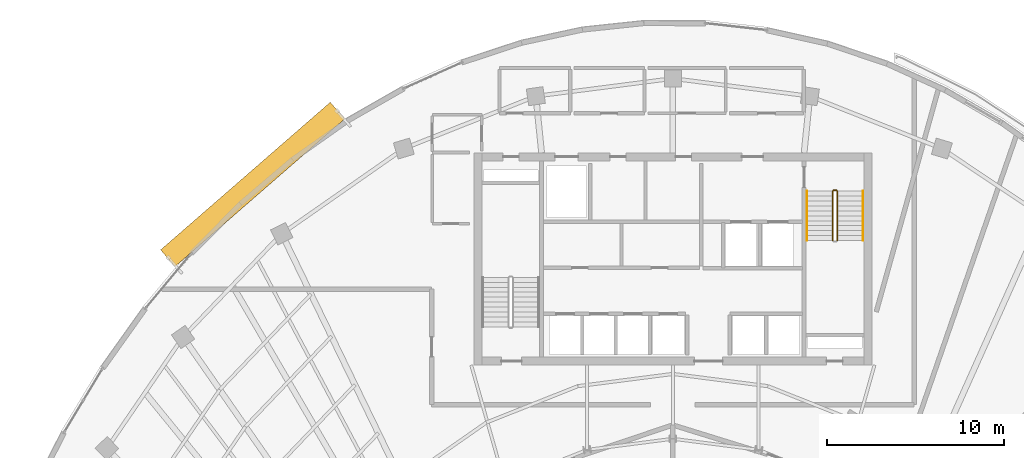
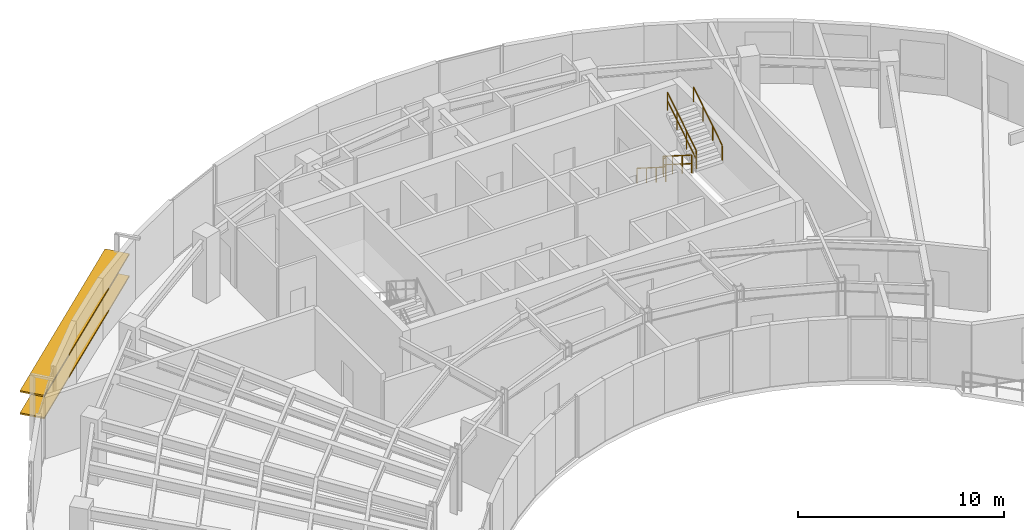
# One storey, part 14 of 15: 5 railings, 2 shading devices.
"""IFC4 building model written with IfcOpenShell, lengths in metres."""

import ifcopenshell
import ifcopenshell.guid

model = None  # the IFC model being written
_history = None  # IfcOwnerHistory: only IFC2X3 demands one
_inside = {}  # id of a spatial element -> (the spatial element, [elements in it])
_under = {}  # id of a project, library or spatial element -> (it, [spatial elements below it])
_declared = {}  # id of a project -> (the project, [libraries it declares])
_typed = {}  # id of a type object -> (the type object, [elements of that type])
_made_of = {}  # id of a material, layer set ... -> (it, [elements and type objects made of it])


def new_model(schema):
    """Start an empty IFC model of exactly this schema.

    Asked for "IFC4X3", IfcOpenShell would pick the latest addendum, in which some entities
    have other attributes; the version numbers below select the first issue.
    IFC2X3 requires an IfcOwnerHistory on every rooted entity: one is made here for all.
    """
    global model, _history
    if schema == "IFC4X3":
        model = ifcopenshell.file(schema_version=(4, 3, 0, 0))
    else:
        model = ifcopenshell.file(schema=schema)
    _inside.clear()
    _under.clear()
    _declared.clear()
    _typed.clear()
    _made_of.clear()
    _history = None
    if model.schema == "IFC2X3":
        org = make("IfcOrganization", Name="unknown")
        user = make(
            "IfcPersonAndOrganization",
            ThePerson=make("IfcPerson", FamilyName="unknown"),
            TheOrganization=org,
        )
        app = make(
            "IfcApplication",
            ApplicationDeveloper=org,
            Version="unknown",
            ApplicationFullName="unknown",
            ApplicationIdentifier="unknown",
        )
        _history = make(
            "IfcOwnerHistory",
            OwningUser=user,
            OwningApplication=app,
            ChangeAction="ADDED",
            CreationDate=0,
        )
    return model


def make(cls, **values):
    """One entity of the class cls with the attributes given. An attribute that is None is left unset."""
    return model.create_entity(
        cls, **{name: value for name, value in values.items() if value is not None}
    )


def rooted(cls, **values):
    """An entity with a GlobalId (a new one), such as an element, a storey or a relation."""
    return make(cls, GlobalId=ifcopenshell.guid.new(), OwnerHistory=_history, **values)


def si_unit(unit_type, name, prefix=None):
    """IfcSIUnit, for example si_unit("LENGTHUNIT", "METRE", prefix="MILLI")."""
    return make("IfcSIUnit", UnitType=unit_type, Prefix=prefix, Name=name)


def assignment(units):
    """IfcUnitAssignment: the units of a project."""
    return None if units is None else make("IfcUnitAssignment", Units=units)


def point(xyz):
    """IfcCartesianPoint."""
    return None if xyz is None else make("IfcCartesianPoint", Coordinates=xyz)


def direction(xyz):
    """IfcDirection."""
    return None if xyz is None else make("IfcDirection", DirectionRatios=xyz)


def frame(location, z_axis=None, x_axis=None):
    """IfcAxis2Placement3D, a coordinate frame: its origin and axes. An axis left out is left unset."""
    return make(
        "IfcAxis2Placement3D",
        Location=point(location),
        Axis=direction(z_axis),
        RefDirection=direction(x_axis),
    )


def frame_2d(location, x_axis=None):
    """IfcAxis2Placement2D, a coordinate frame in the plane: its origin and x axis."""
    return make(
        "IfcAxis2Placement2D", Location=point(location), RefDirection=direction(x_axis)
    )


def origin():
    """The frame at (0, 0, 0) with its axes left unset."""
    return frame((0.0, 0.0, 0.0))


def origin_2d():
    """The frame at (0, 0) in the plane with its x axis left unset."""
    return frame_2d((0.0, 0.0))


def place(relative_to, where):
    """IfcLocalPlacement: puts the frame where relative to a parent placement (None: the world)."""
    return make(
        "IfcLocalPlacement", PlacementRelTo=relative_to, RelativePlacement=where
    )


def context(
    kind, dimensions, precision=None, world=None, true_north=None, identifier=None
):
    """IfcGeometricRepresentationContext, for example the 3D "Model" context."""
    return make(
        "IfcGeometricRepresentationContext",
        ContextIdentifier=identifier,
        ContextType=kind,
        CoordinateSpaceDimension=dimensions,
        Precision=precision,
        WorldCoordinateSystem=world,
        TrueNorth=true_north,
    )


def subcontext(parent, identifier, kind, view, scale=None):
    """IfcGeometricRepresentationSubContext, for example "Body" below "Model"."""
    return make(
        "IfcGeometricRepresentationSubContext",
        ContextIdentifier=identifier,
        ContextType=kind,
        ParentContext=parent,
        TargetScale=scale,
        TargetView=view,
    )


def project(units=None, contexts=None):
    """IfcProject with its units and contexts."""
    return rooted(
        "IfcProject",
        Name="project",
        RepresentationContexts=contexts,
        UnitsInContext=assignment(units),
    )


def spatial(cls, under=None, at=None, **own):
    """A site, building, storey or space (cls), placed at a placement, below another one or the project."""
    s = rooted(cls, ObjectPlacement=at, **own)
    if under is not None:
        _under.setdefault(under.id(), (under, []))[1].append(s)
    return s


def profile(cls, at=None, kind="AREA", **sizes):
    """A parametric profile (cls). Its sizes go by their IFC names, for example OverallWidth=200.0."""
    return make(cls, ProfileType=kind, Position=at, **sizes)


def rectangle(**sizes):
    """IfcRectangleProfileDef."""
    return profile("IfcRectangleProfileDef", **sizes)


def extrude(swept, where, along, depth):
    """IfcExtrudedAreaSolid: the profile swept, set in the frame where, extruded along a direction by depth."""
    return make(
        "IfcExtrudedAreaSolid",
        SweptArea=swept,
        Position=where,
        ExtrudedDirection=direction(along),
        Depth=depth,
    )


def shape(context_of_items, identifier, shape_type, items):
    """IfcShapeRepresentation: the items that make up one representation, for example the "Body"."""
    return make(
        "IfcShapeRepresentation",
        ContextOfItems=context_of_items,
        RepresentationIdentifier=identifier,
        RepresentationType=shape_type,
        Items=items,
    )


def source(mapping_origin, context_of_items, identifier, shape_type, items):
    """IfcRepresentationMap: a shape defined once, which mapped items show again and again."""
    return make(
        "IfcRepresentationMap",
        MappingOrigin=mapping_origin,
        MappedRepresentation=shape(context_of_items, identifier, shape_type, items),
    )


def transform(
    local_origin,
    x_axis=None,
    y_axis=None,
    z_axis=None,
    scale=None,
    scale2=None,
    scale3=None,
    uniform=True,
):
    """IfcCartesianTransformationOperator3D, or its non-uniform kind. x_axis, y_axis, z_axis: its Axis1, 2, 3."""
    if uniform:
        return make(
            "IfcCartesianTransformationOperator3D",
            Axis1=direction(x_axis),
            Axis2=direction(y_axis),
            LocalOrigin=point(local_origin),
            Scale=scale,
            Axis3=direction(z_axis),
        )
    return make(
        "IfcCartesianTransformationOperator3DnonUniform",
        Axis1=direction(x_axis),
        Axis2=direction(y_axis),
        LocalOrigin=point(local_origin),
        Scale=scale,
        Axis3=direction(z_axis),
        Scale2=scale2,
        Scale3=scale3,
    )


def mapped(mapping_source, mapping_target):
    """IfcMappedItem: shows the shape of a source again, moved by a transform."""
    return make(
        "IfcMappedItem", MappingSource=mapping_source, MappingTarget=mapping_target
    )


def material(Name=None, Category=None):
    """IfcMaterial."""
    return make("IfcMaterial", Name=Name, Category=Category)


def material_profile(
    of_material, cross_section, Name=None, Category=None, Priority=None
):
    """IfcMaterialProfile: a cross section and its material."""
    return make(
        "IfcMaterialProfile",
        Name=Name,
        Material=of_material,
        Profile=cross_section,
        Priority=Priority,
        Category=Category,
    )


def profile_set(profiles, Name=None, composite=None):
    """IfcMaterialProfileSet."""
    return make(
        "IfcMaterialProfileSet",
        Name=Name,
        MaterialProfiles=profiles,
        CompositeProfile=composite,
    )


def made_of(thing, what):
    """Note that an element or type object is made of a material, layer set ...; save() writes the relation."""
    if what is not None:
        _made_of.setdefault(what.id(), (what, []))[1].append(thing)
    return thing


def type_object(cls, material=None, **own):
    """A type object (cls), such as IfcWallType, which elements share."""
    return made_of(rooted(cls, **own), material)


def element(
    cls,
    number,
    at=None,
    inside=None,
    cuts=None,
    type_object=None,
    material=None,
    context=None,
    identifier="Body",
    shape_type=None,
    held_by="IfcProductDefinitionShape",
    body=None,
    shapes=None,
    **own,
):
    """One element of the class cls, such as IfcWall. Its Tag is "e" and its number.

    at: its placement. inside: the storey or other place that contains it. cuts: it is an
    opening in that element (IfcRelVoidsElement). A single representation is given by context,
    identifier, shape_type and body (its items); several are given by shapes. held_by: the class
    of the entity that holds the representations. save() writes the other relations.
    """
    e = rooted(cls, Tag="e%d" % number, ObjectPlacement=at, **own)
    if body is not None:
        shapes = [shape(context, identifier, shape_type, body)]
    if shapes is not None:
        e.Representation = make(held_by, Representations=shapes)
    if inside is not None:
        _inside.setdefault(inside.id(), (inside, []))[1].append(e)
    if cuts is not None:
        rooted(
            "IfcRelVoidsElement", RelatingBuildingElement=cuts, RelatedOpeningElement=e
        )
    if type_object is not None:
        _typed.setdefault(type_object.id(), (type_object, []))[1].append(e)
    return made_of(e, material)


def aggregate(whole, parts):
    """IfcRelAggregates: a whole, such as a stair, and the parts it consists of."""
    return rooted("IfcRelAggregates", RelatingObject=whole, RelatedObjects=parts)


def save(model, path):
    """Write the relations noted so far, then the file.

    IfcRelAggregates (storeys below a building ...), IfcRelContainedInSpatialStructure (elements
    in a storey), IfcRelDefinesByType, IfcRelAssociatesMaterial and IfcRelDeclares: one each for
    every whole, place, type object, material and project.
    """
    for whole, parts in _under.values():
        aggregate(whole, parts)
    for where, things in _inside.values():
        rooted(
            "IfcRelContainedInSpatialStructure",
            RelatedElements=things,
            RelatingStructure=where,
        )
    for kind, things in _typed.values():
        rooted("IfcRelDefinesByType", RelatedObjects=things, RelatingType=kind)
    for what, things in _made_of.values():
        rooted("IfcRelAssociatesMaterial", RelatedObjects=things, RelatingMaterial=what)
    for by, libraries in _declared.values():
        rooted("IfcRelDeclares", RelatingContext=by, RelatedDefinitions=libraries)
    model.write(path)


model = new_model("IFC4")

# Units and contexts
model_context = context("Model", 3, precision=1e-05, world=origin(), true_north=direction((0.0, 1.0)))
body_context = subcontext(model_context, "Body", "Model", "MODEL_VIEW")
ifc_project = project(units=[si_unit("LENGTHUNIT", "METRE"), si_unit("AREAUNIT", "SQUARE_METRE"), si_unit("VOLUMEUNIT", "CUBIC_METRE"), si_unit("PLANEANGLEUNIT", "RADIAN"), si_unit("MASSUNIT", "GRAM", prefix="KILO")], contexts=[model_context])

# Site, building, storey
site_placement = place(None, origin())
site = spatial("IfcSite", under=ifc_project, at=site_placement, CompositionType="ELEMENT")
building_placement = place(site_placement, origin())
building = spatial("IfcBuilding", under=site, at=building_placement, Name="Breltana Convention Tower", CompositionType="ELEMENT")
storey_placement = place(building_placement, frame((0.0, 0.0, 231.300048828125)))
storey = spatial("IfcBuildingStorey", under=building, at=storey_placement, Name="L56", CompositionType="ELEMENT", Elevation=231.300048828125)

# Railings
ifc_material_1 = material(Name="Steel S275 Painted", Category="steel")
railing_type_1 = type_object("IfcRailingType", Name="RL-STAIR-GUARD-1100", PredefinedType="GUARDRAIL", material=ifc_material_1)
railing_1_placement = place(storey_placement, frame((57.0400390625, 70.0400390625, 0.17724609375)))
element("IfcRailing", 1, at=railing_1_placement, inside=storey, type_object=railing_type_1, Name="L56 ST-2 stair guard 1", PredefinedType="GUARDRAIL", context=body_context, shape_type="SweptSolid", body=[
    extrude(rectangle(XDim=0.048095703125, YDim=0.048095703125, at=origin_2d()), frame((0.0, 0.0, 1.076171875), z_axis=(0.0, -0.844908973607, 0.534910110503), x_axis=(1.0, 0.0, 0.0)), (0.0, 0.0, 1.0), 3.31396484375),
    extrude(rectangle(XDim=0.048095703125, YDim=0.048095703125, at=origin_2d()), frame((0.0, 0.0, 0.572021484375), z_axis=(0.0, -0.844908973607, 0.534910110503), x_axis=(1.0, 0.0, 0.0)), (0.0, 0.0, 1.0), 3.31396484375),
    extrude(rectangle(XDim=0.0419921875, YDim=0.0419921875, at=origin_2d()), origin(), (0.0, 0.0, 1.0), 1.052001953125),
    extrude(rectangle(XDim=0.0419921875, YDim=0.0419921875, at=origin_2d()), frame((0.0, -0.933349609375, 0.5908203125)), (0.0, 0.0, 1.0), 1.052001953125),
    extrude(rectangle(XDim=0.0419921875, YDim=0.0419921875, at=origin_2d()), frame((0.0, -1.86669921875, 1.181884765625)), (0.0, 0.0, 1.0), 1.052001953125),
    extrude(rectangle(XDim=0.0419921875, YDim=0.0419921875, at=origin_2d()), frame((0.0, -2.800048828125, 1.772705078125)), (0.0, 0.0, 1.0), 1.052001953125),
])
railing_2_placement = place(storey_placement, frame((57.2900390625, 67.239990234375, 2.127197265625)))
element("IfcRailing", 2, at=railing_2_placement, inside=storey, type_object=railing_type_1, Name="L56 ST-2 stair guard 3", PredefinedType="GUARDRAIL", context=body_context, shape_type="SweptSolid", body=[
    extrude(rectangle(XDim=0.048095703125, YDim=0.048095703125, at=origin_2d()), frame((0.0, 0.0, 1.076171875), z_axis=(0.0, 0.844908973607, 0.534910110503), x_axis=(-1.0, 0.0, 0.0)), (0.0, 0.0, 1.0), 3.31396484375),
    extrude(rectangle(XDim=0.048095703125, YDim=0.048095703125, at=origin_2d()), frame((0.0, 0.0, 0.572021484375), z_axis=(0.0, 0.844908973607, 0.534910110503), x_axis=(-1.0, 0.0, 0.0)), (0.0, 0.0, 1.0), 3.31396484375),
    extrude(rectangle(XDim=0.0419921875, YDim=0.0419921875, at=origin_2d()), origin(), (0.0, 0.0, 1.0), 1.052001953125),
    extrude(rectangle(XDim=0.0419921875, YDim=0.0419921875, at=origin_2d()), frame((0.0, 0.933349609375, 0.5908203125)), (0.0, 0.0, 1.0), 1.052001953125),
    extrude(rectangle(XDim=0.0419921875, YDim=0.0419921875, at=origin_2d()), frame((0.0, 1.86669921875, 1.181884765625)), (0.0, 0.0, 1.0), 1.052001953125),
    extrude(rectangle(XDim=0.0419921875, YDim=0.0419921875, at=origin_2d()), frame((0.0, 2.800048828125, 1.772705078125)), (0.0, 0.0, 1.0), 1.052001953125),
])
railing_3_placement = place(storey_placement, frame((57.090087890625, 70.090087890625, 0.0)))
element("IfcRailing", 3, at=railing_3_placement, inside=storey, type_object=railing_type_1, Name="L56 ST-2 stair guard 4", PredefinedType="GUARDRAIL", context=body_context, shape_type="SweptSolid", body=[
    extrude(rectangle(XDim=0.048095703125, YDim=0.048095703125, at=origin_2d()), frame((0.0, 0.0, 1.076171875), z_axis=(1.0, 0.0, 0.0), x_axis=(0.0, 1.0, 0.0)), (0.0, 0.0, 1.0), 0.14990234375),
    extrude(rectangle(XDim=0.048095703125, YDim=0.048095703125, at=origin_2d()), frame((0.0, 0.0, 0.572021484375), z_axis=(1.0, 0.0, 0.0), x_axis=(0.0, 1.0, 0.0)), (0.0, 0.0, 1.0), 0.14990234375),
    extrude(rectangle(XDim=0.0419921875, YDim=0.0419921875, at=origin_2d()), origin(), (0.0, 0.0, 1.0), 1.052001953125),
    extrude(rectangle(XDim=0.0419921875, YDim=0.0419921875, at=origin_2d()), frame((0.14990234375, 0.0, 0.0)), (0.0, 0.0, 1.0), 1.052001953125),
])
ifc_material_2 = material(Name="Stainless Steel 316L", Category="steel")
railing_type_2 = type_object("IfcRailingType", Name="RL-STAIR-HANDRAIL-900", PredefinedType="HANDRAIL", material=ifc_material_2)
railing_4_placement = place(storey_placement, frame((55.580078125, 70.0400390625, 0.17724609375)))
element("IfcRailing", 4, at=railing_4_placement, inside=storey, type_object=railing_type_2, Name="L56 ST-2 stair handrail 1", PredefinedType="HANDRAIL", context=body_context, shape_type="SweptSolid", body=[
    extrude(rectangle(XDim=0.048095703125, YDim=0.048095703125, at=origin_2d()), frame((0.0, 0.0, 0.8759765625), z_axis=(0.0, -0.844908973607, 0.534910110503), x_axis=(1.0, 0.0, 0.0)), (0.0, 0.0, 1.0), 3.31396484375),
    extrude(rectangle(XDim=0.0419921875, YDim=0.0419921875, at=origin_2d()), origin(), (0.0, 0.0, 1.0), 0.851806640625),
    extrude(rectangle(XDim=0.0419921875, YDim=0.0419921875, at=origin_2d()), frame((0.0, -0.933349609375, 0.5908203125)), (0.0, 0.0, 1.0), 0.851806640625),
    extrude(rectangle(XDim=0.0419921875, YDim=0.0419921875, at=origin_2d()), frame((0.0, -1.86669921875, 1.181884765625)), (0.0, 0.0, 1.0), 0.851806640625),
    extrude(rectangle(XDim=0.0419921875, YDim=0.0419921875, at=origin_2d()), frame((0.0, -2.800048828125, 1.772705078125)), (0.0, 0.0, 1.0), 0.851806640625),
])
railing_5_placement = place(storey_placement, frame((58.75, 67.239990234375, 2.127197265625)))
element("IfcRailing", 5, at=railing_5_placement, inside=storey, type_object=railing_type_2, Name="L56 ST-2 stair handrail 2", PredefinedType="HANDRAIL", context=body_context, shape_type="SweptSolid", body=[
    extrude(rectangle(XDim=0.048095703125, YDim=0.048095703125, at=origin_2d()), frame((0.0, 0.0, 0.8759765625), z_axis=(0.0, 0.844908973607, 0.534910110503), x_axis=(-1.0, 0.0, 0.0)), (0.0, 0.0, 1.0), 3.31396484375),
    extrude(rectangle(XDim=0.0419921875, YDim=0.0419921875, at=origin_2d()), origin(), (0.0, 0.0, 1.0), 0.851806640625),
    extrude(rectangle(XDim=0.0419921875, YDim=0.0419921875, at=origin_2d()), frame((0.0, 0.933349609375, 0.5908203125)), (0.0, 0.0, 1.0), 0.851806640625),
    extrude(rectangle(XDim=0.0419921875, YDim=0.0419921875, at=origin_2d()), frame((0.0, 1.86669921875, 1.181884765625)), (0.0, 0.0, 1.0), 0.851806640625),
    extrude(rectangle(XDim=0.0419921875, YDim=0.0419921875, at=origin_2d()), frame((0.0, 2.800048828125, 1.772705078125)), (0.0, 0.0, 1.0), 0.851806640625),
])

# Shading devices
ifc_material_3 = material(Name="Limestone Warm Buff Honed", Category="masonry")
ifc_material_profile = material_profile(ifc_material_3, rectangle(XDim=1.25, YDim=0.090087890625, at=origin_2d()), Name="STN-LVR-1250X90")
ifc_profile_set = profile_set([ifc_material_profile], Name="Limestone Warm Buff Honed")
shading_device_type = type_object("IfcShadingDeviceType", Name="SHD-OUTER-SKIN-LIMESTONE-1250", PredefinedType="JALOUSIE", material=ifc_profile_set)
shared_shape = source(origin(), body_context, "Body", "SweptSolid", [
    extrude(rectangle(XDim=1.25, YDim=0.090087890625, at=origin_2d()), origin(), (0.0, 0.0, 1.0), 12.716064453125),
])
for number, where, z_axis, x_axis, name in (
    (6, (19.4482421875, 66.243408203125, 1.31396484375), (0.754376904049, 0.656441533298, 0.0), (-0.656441533298, 0.754376904049, 0.0), "L56 outer skin warm limestone louvre 1.1"),
    (7, (19.4482421875, 66.243408203125, 2.6279296875), (0.754376904049, 0.656441533298, 0.0), (-0.656441533298, 0.754376904049, 0.0), "L56 outer skin warm limestone louvre 1.2"),
):
    element("IfcShadingDevice", number, at=place(storey_placement, frame(where, z_axis=z_axis, x_axis=x_axis)), inside=storey, type_object=shading_device_type, Name=name, PredefinedType="JALOUSIE", context=body_context, shape_type="MappedRepresentation", body=[
        mapped(shared_shape, transform((0.0, 0.0, 0.0), scale=1.0)),
    ])

save(model, "model.ifc")
